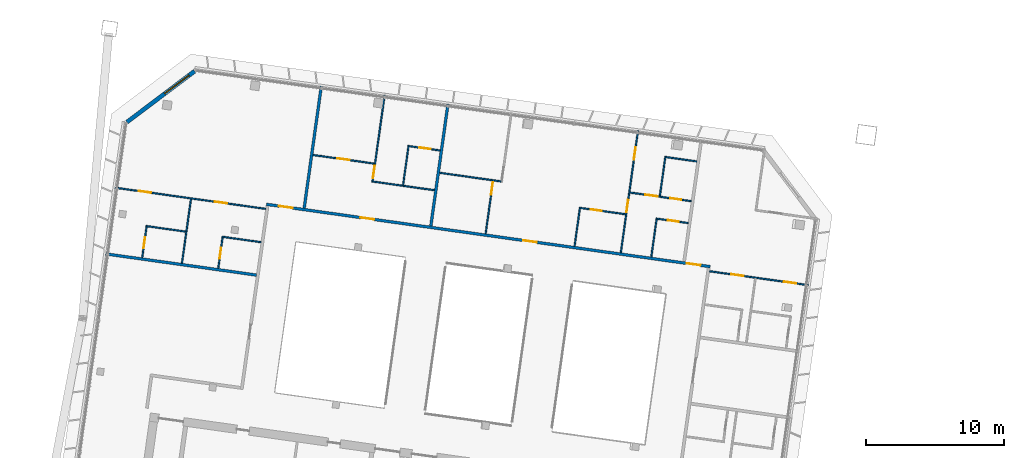
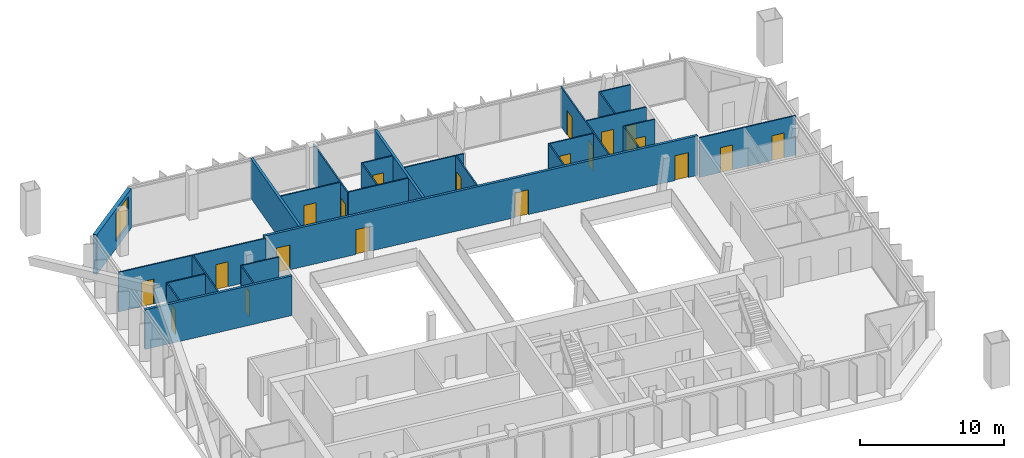
# One storey, part 15 of 23: 27 walls, 20 doors, 1 window, 21 openings.
"""IFC4 building model written with IfcOpenShell, lengths in metres."""

from ifc_helpers import new_model, si_unit, direction, frame, frame_2d, origin, place, context, subcontext, project, spatial, rectangle, extrude, material, layer, layer_set, type_object, element, fill, save


model = new_model("IFC4")

# Units and contexts
model_context = context("Model", 3, precision=1e-05, world=origin(), true_north=direction((0.0, 1.0)))
body_context = subcontext(model_context, "Body", "Model", "MODEL_VIEW")
ifc_project = project(units=[si_unit("LENGTHUNIT", "METRE"), si_unit("AREAUNIT", "SQUARE_METRE"), si_unit("VOLUMEUNIT", "CUBIC_METRE"), si_unit("PLANEANGLEUNIT", "RADIAN"), si_unit("MASSUNIT", "GRAM", prefix="KILO")], contexts=[model_context])

# Site, building, storey
site_placement = place(None, origin())
site = spatial("IfcSite", under=ifc_project, at=site_placement, CompositionType="ELEMENT")
building_placement = place(site_placement, origin())
building = spatial("IfcBuilding", under=site, at=building_placement, Name="Mirante Cascada Hotel Towers", CompositionType="ELEMENT")
storey_placement = place(building_placement, frame((0.0, 0.0, 220.4)))
storey = spatial("IfcBuildingStorey", under=building, at=storey_placement, Name="L52", CompositionType="ELEMENT", Elevation=220.4)

# Wall
ifc_material_1 = material(Name="Fire-rated plasterboard on metal studs")
ifc_layer_1 = layer(ifc_material_1, 0.2)
ifc_layer_set_1 = layer_set([ifc_layer_1], Name="Compartment wall 200 EI 120")
wall_type_1 = type_object("IfcWallType", Name="Compartment wall 200 EI 120", PredefinedType="PARTITIONING", material=ifc_layer_set_1)
wall_1_placement = place(storey_placement, frame((-62.9964, 7.5181, 0.0), z_axis=(0.0, 0.0, 1.0), x_axis=(-0.990267, 0.139181, 0.0)))
element("IfcWall", 1, at=wall_1_placement, inside=storey, type_object=wall_type_1, Name="Wall 1-L52-11", PredefinedType="PARTITIONING", context=body_context, shape_type="SweptSolid", body=[
    extrude(rectangle(XDim=11.0001, YDim=0.2, at=frame_2d((5.5, 0.0))), origin(), (0.0, 0.0, 1.0), 3.35),
])

# Wall, openings, doors
wall_2_placement = place(storey_placement, frame((-62.2774, 12.6346, 0.0), z_axis=(0.0, 0.0, 1.0), x_axis=(0.9902681, -0.1391728, 0.0)))
wall_2 = element("IfcWall", 2, at=wall_2_placement, inside=storey, type_object=wall_type_1, Name="Wall 1-L52-18", PredefinedType="PARTITIONING", context=body_context, shape_type="SweptSolid", body=[
    extrude(rectangle(XDim=32.4, YDim=0.2, at=frame_2d((16.2, 0.0))), origin(), (0.0, 0.0, 1.0), 3.35),
])
opening_1_placement = place(wall_2_placement, frame((30.6918, 0.0, 0.0)))
opening_1 = element("IfcOpeningElement", 3, at=opening_1_placement, cuts=wall_2, Name="Opening D1-L52-09", PredefinedType="OPENING", context=body_context, shape_type="SweptSolid", body=[
    extrude(rectangle(XDim=1.0, YDim=2.1, at=frame_2d((0.5, 1.05))), frame((0.0, 0.1, 0.0), z_axis=(0.0, -1.0, 0.0), x_axis=(1.0, 0.0, 0.0)), (0.0, 0.0, 1.0), 0.2),
])
opening_2_placement = place(wall_2_placement, frame((18.7377, 0.0, 0.0)))
opening_2 = element("IfcOpeningElement", 4, at=opening_2_placement, cuts=wall_2, Name="Opening D1-L52-10", PredefinedType="OPENING", context=body_context, shape_type="SweptSolid", body=[
    extrude(rectangle(XDim=1.0, YDim=2.1, at=frame_2d((0.5, 1.05))), frame((0.0, 0.1, 0.0), z_axis=(0.0, -1.0, 0.0), x_axis=(1.0, 0.0, 0.0)), (0.0, 0.0, 1.0), 0.2),
])
opening_3_placement = place(wall_2_placement, frame((6.8689, 0.0, 0.0)))
opening_3 = element("IfcOpeningElement", 5, at=opening_3_placement, cuts=wall_2, Name="Opening D1-L52-11", PredefinedType="OPENING", context=body_context, shape_type="SweptSolid", body=[
    extrude(rectangle(XDim=1.0, YDim=2.1, at=frame_2d((0.5, 1.05))), frame((0.0, 0.1, 0.0), z_axis=(0.0, -1.0, 0.0), x_axis=(1.0, 0.0, 0.0)), (0.0, 0.0, 1.0), 0.2),
])
opening_4_placement = place(wall_2_placement, frame((0.923, 0.0, 0.0)))
opening_4 = element("IfcOpeningElement", 6, at=opening_4_placement, cuts=wall_2, Name="Opening D1-L52-12", PredefinedType="OPENING", context=body_context, shape_type="SweptSolid", body=[
    extrude(rectangle(XDim=1.0, YDim=2.1, at=frame_2d((0.5, 1.05))), frame((0.0, 0.1, 0.0), z_axis=(0.0, -1.0, 0.0), x_axis=(1.0, 0.0, 0.0)), (0.0, 0.0, 1.0), 0.2),
])
ifc_material_2 = material(Name="Fire-rated timber door leaf", Category="wood")
door_type_1 = type_object("IfcDoorType", Name="Entrance door DG1 1000x2100 EI 60", OperationType="SINGLE_SWING_LEFT", PredefinedType="DOOR", material=ifc_material_2)
door_1_placement = place(opening_1_placement, origin())
door_1 = element("IfcDoor", 7, at=door_1_placement, inside=storey, type_object=door_type_1, Name="Door D1-L52-09", OperationType="SINGLE_SWING_LEFT", OverallHeight=2.1, OverallWidth=1.0, PredefinedType="DOOR", context=body_context, shape_type="SweptSolid", body=[
    extrude(rectangle(XDim=1.0, YDim=2.1, at=frame_2d((0.5, 1.05))), frame((0.0, 0.025, 0.0), z_axis=(0.0, -1.0, 0.0), x_axis=(1.0, 0.0, 0.0)), (0.0, 0.0, 1.0), 0.05),
])
fill(opening_1, door_1)
door_2_placement = place(opening_2_placement, origin())
door_2 = element("IfcDoor", 8, at=door_2_placement, inside=storey, type_object=door_type_1, Name="Door D1-L52-10", OperationType="SINGLE_SWING_LEFT", OverallHeight=2.1, OverallWidth=1.0, PredefinedType="DOOR", context=body_context, shape_type="SweptSolid", body=[
    extrude(rectangle(XDim=1.0, YDim=2.1, at=frame_2d((0.5, 1.05))), frame((0.0, 0.025, 0.0), z_axis=(0.0, -1.0, 0.0), x_axis=(1.0, 0.0, 0.0)), (0.0, 0.0, 1.0), 0.05),
])
fill(opening_2, door_2)
door_3_placement = place(opening_3_placement, origin())
door_3 = element("IfcDoor", 9, at=door_3_placement, inside=storey, type_object=door_type_1, Name="Door D1-L52-11", OperationType="SINGLE_SWING_LEFT", OverallHeight=2.1, OverallWidth=1.0, PredefinedType="DOOR", context=body_context, shape_type="SweptSolid", body=[
    extrude(rectangle(XDim=1.0, YDim=2.1, at=frame_2d((0.5, 1.05))), frame((0.0, 0.025, 0.0), z_axis=(0.0, -1.0, 0.0), x_axis=(1.0, 0.0, 0.0)), (0.0, 0.0, 1.0), 0.05),
])
fill(opening_3, door_3)
door_4_placement = place(opening_4_placement, origin())
door_4 = element("IfcDoor", 10, at=door_4_placement, inside=storey, type_object=door_type_1, Name="Door D1-L52-12", OperationType="SINGLE_SWING_LEFT", OverallHeight=2.1, OverallWidth=1.0, PredefinedType="DOOR", context=body_context, shape_type="SweptSolid", body=[
    extrude(rectangle(XDim=1.0, YDim=2.1, at=frame_2d((0.5, 1.05))), frame((0.0, 0.025, 0.0), z_axis=(0.0, -1.0, 0.0), x_axis=(1.0, 0.0, 0.0)), (0.0, 0.0, 1.0), 0.05),
])
fill(opening_4, door_4)

# Walls
wall_3_placement = place(storey_placement, frame((-49.1497, 19.878, 0.0), z_axis=(0.0, 0.0, 1.0), x_axis=(-0.139181, -0.990267, 0.0)))
element("IfcWall", 11, at=wall_3_placement, inside=storey, type_object=wall_type_1, Name="Wall 1-L52-44", PredefinedType="PARTITIONING", context=body_context, shape_type="SweptSolid", body=[
    extrude(rectangle(XDim=8.8999, YDim=0.2, at=frame_2d((4.45, 0.0))), origin(), (0.0, 0.0, 1.0), 3.35),
])
wall_4_placement = place(storey_placement, frame((-59.5443, 12.3514, 0.0), z_axis=(0.0, 0.0, 1.0), x_axis=(0.1391794, 0.9902672, 0.0)))
element("IfcWall", 12, at=wall_4_placement, inside=storey, type_object=wall_type_1, Name="Wall 1-L52-47", PredefinedType="PARTITIONING", context=body_context, shape_type="SweptSolid", body=[
    extrude(rectangle(XDim=8.9, YDim=0.2, at=frame_2d((4.45, 0.0))), origin(), (0.0, 0.0, 1.0), 3.35),
])
ifc_material_3 = material(Name="Plasterboard on metal studs")
ifc_layer_2 = layer(ifc_material_3, 0.1)
ifc_layer_set_2 = layer_set([ifc_layer_2], Name="Partition 100")
wall_type_2 = type_object("IfcWallType", Name="Partition 100", PredefinedType="PARTITIONING", material=ifc_layer_set_2)
wall_5_placement = place(storey_placement, frame((-65.4847, 10.2914, 0.0), z_axis=(0.0, 0.0, 1.0), x_axis=(0.9902704, -0.1391564, 0.0)))
element("IfcWall", 13, at=wall_5_placement, inside=storey, type_object=wall_type_2, Name="Wall 1-L52-14", PredefinedType="PARTITIONING", context=body_context, shape_type="SweptSolid", body=[
    extrude(rectangle(XDim=2.85, YDim=0.1, at=frame_2d((1.425, 0.0))), origin(), (0.0, 0.0, 1.0), 3.35),
])
wall_6_placement = place(storey_placement, frame((-68.1089, 10.6602, 0.0), z_axis=(0.0, 0.0, 1.0), x_axis=(-0.9902683, 0.1391714, 0.0)))
element("IfcWall", 14, at=wall_6_placement, inside=storey, type_object=wall_type_2, Name="Wall 1-L52-15", PredefinedType="PARTITIONING", context=body_context, shape_type="SweptSolid", body=[
    extrude(rectangle(XDim=2.9, YDim=0.1, at=frame_2d((1.45, 0.0))), origin(), (0.0, 0.0, 1.0), 3.35),
])

# Wall, openings, doors
wall_7_placement = place(storey_placement, frame((-30.2391, 7.7953, 0.0), z_axis=(0.0, 0.0, 1.0), x_axis=(0.9902691, -0.1391655, 0.0)))
wall_7 = element("IfcWall", 15, at=wall_7_placement, inside=storey, type_object=wall_type_2, Name="Wall 1-L52-16", PredefinedType="PARTITIONING", context=body_context, shape_type="SweptSolid", body=[
    extrude(rectangle(XDim=7.2065, YDim=0.1, at=frame_2d((3.6032, 0.0))), origin(), (0.0, 0.0, 1.0), 3.35),
])
opening_5_placement = place(wall_7_placement, frame((5.4299, 0.0, 0.0)))
opening_5 = element("IfcOpeningElement", 16, at=opening_5_placement, cuts=wall_7, Name="Opening D1-L52-05", PredefinedType="OPENING", context=body_context, shape_type="SweptSolid", body=[
    extrude(rectangle(XDim=0.9, YDim=2.1, at=frame_2d((0.45, 1.05))), frame((0.0, 0.05, 0.0), z_axis=(0.0, -1.0, 0.0), x_axis=(1.0, 0.0, 0.0)), (0.0, 0.0, 1.0), 0.1),
])
opening_6_placement = place(wall_7_placement, frame((1.5766, 0.0, 0.0)))
opening_6 = element("IfcOpeningElement", 17, at=opening_6_placement, cuts=wall_7, Name="Opening D1-L52-06", PredefinedType="OPENING", context=body_context, shape_type="SweptSolid", body=[
    extrude(rectangle(XDim=0.9, YDim=2.1, at=frame_2d((0.45, 1.05))), frame((0.0, 0.05, 0.0), z_axis=(0.0, -1.0, 0.0), x_axis=(1.0, 0.0, 0.0)), (0.0, 0.0, 1.0), 0.1),
])
ifc_material_4 = material(Name="Timber door leaf", Category="wood")
door_type_2 = type_object("IfcDoorType", Name="Room door DG3 900x2100", OperationType="SINGLE_SWING_LEFT", PredefinedType="DOOR", material=ifc_material_4)
door_5_placement = place(opening_5_placement, origin())
door_5 = element("IfcDoor", 18, at=door_5_placement, inside=storey, type_object=door_type_2, Name="Door D1-L52-05", OperationType="SINGLE_SWING_LEFT", OverallHeight=2.1, OverallWidth=0.9, PredefinedType="DOOR", context=body_context, shape_type="SweptSolid", body=[
    extrude(rectangle(XDim=0.9, YDim=2.1, at=frame_2d((0.45, 1.05))), frame((0.0, 0.025, 0.0), z_axis=(0.0, -1.0, 0.0), x_axis=(1.0, 0.0, 0.0)), (0.0, 0.0, 1.0), 0.05),
])
fill(opening_5, door_5)
door_6_placement = place(opening_6_placement, origin())
door_6 = element("IfcDoor", 19, at=door_6_placement, inside=storey, type_object=door_type_2, Name="Door D1-L52-06", OperationType="SINGLE_SWING_LEFT", OverallHeight=2.1, OverallWidth=0.9, PredefinedType="DOOR", context=body_context, shape_type="SweptSolid", body=[
    extrude(rectangle(XDim=0.9, YDim=2.1, at=frame_2d((0.45, 1.05))), frame((0.0, 0.025, 0.0), z_axis=(0.0, -1.0, 0.0), x_axis=(1.0, 0.0, 0.0)), (0.0, 0.0, 1.0), 0.05),
])
fill(opening_6, door_6)

wall_8_placement = place(storey_placement, frame((-62.3238, 12.3045, 0.0), z_axis=(0.0, 0.0, 1.0), x_axis=(-0.990268, 0.1391733, 0.0)))
wall_8 = element("IfcWall", 20, at=wall_8_placement, inside=storey, type_object=wall_type_2, Name="Wall 1-L52-17", PredefinedType="PARTITIONING", context=body_context, shape_type="SweptSolid", body=[
    extrude(rectangle(XDim=11.0, YDim=0.1, at=frame_2d((5.5, 0.0))), origin(), (0.0, 0.0, 1.0), 3.35),
])
opening_7_placement = place(wall_8_placement, frame((2.825, 0.0, 0.0)))
opening_7 = element("IfcOpeningElement", 21, at=opening_7_placement, cuts=wall_8, Name="Opening D1-L52-07", PredefinedType="OPENING", context=body_context, shape_type="SweptSolid", body=[
    extrude(rectangle(XDim=0.9, YDim=2.1, at=frame_2d((0.45, 1.05))), frame((0.0, 0.05, 0.0), z_axis=(0.0, -1.0, 0.0), x_axis=(1.0, 0.0, 0.0)), (0.0, 0.0, 1.0), 0.1),
])
opening_8_placement = place(wall_8_placement, frame((8.375, 0.0, 0.0)))
opening_8 = element("IfcOpeningElement", 22, at=opening_8_placement, cuts=wall_8, Name="Opening D1-L52-08", PredefinedType="OPENING", context=body_context, shape_type="SweptSolid", body=[
    extrude(rectangle(XDim=0.9, YDim=2.1, at=frame_2d((0.45, 1.05))), frame((0.0, 0.05, 0.0), z_axis=(0.0, -1.0, 0.0), x_axis=(1.0, 0.0, 0.0)), (0.0, 0.0, 1.0), 0.1),
])
door_7_placement = place(opening_7_placement, frame((0.9, 0.0, 0.0), z_axis=(0.0, 0.0, 1.0), x_axis=(-1.0, 0.0, 0.0)))
door_7 = element("IfcDoor", 23, at=door_7_placement, inside=storey, type_object=door_type_2, Name="Door D1-L52-07", OperationType="SINGLE_SWING_RIGHT", OverallHeight=2.1, OverallWidth=0.9, PredefinedType="DOOR", context=body_context, shape_type="SweptSolid", body=[
    extrude(rectangle(XDim=0.9, YDim=2.1, at=frame_2d((0.45, 1.05))), frame((0.0, 0.025, 0.0), z_axis=(0.0, -1.0, 0.0), x_axis=(1.0, 0.0, 0.0)), (0.0, 0.0, 1.0), 0.05),
])
fill(opening_7, door_7)
door_8_placement = place(opening_8_placement, frame((0.9, 0.0, 0.0), z_axis=(0.0, 0.0, 1.0), x_axis=(-1.0, 0.0, 0.0)))
door_8 = element("IfcDoor", 24, at=door_8_placement, inside=storey, type_object=door_type_2, Name="Door D1-L52-08", OperationType="SINGLE_SWING_RIGHT", OverallHeight=2.1, OverallWidth=0.9, PredefinedType="DOOR", context=body_context, shape_type="SweptSolid", body=[
    extrude(rectangle(XDim=0.9, YDim=2.1, at=frame_2d((0.45, 1.05))), frame((0.0, 0.025, 0.0), z_axis=(0.0, -1.0, 0.0), x_axis=(1.0, 0.0, 0.0)), (0.0, 0.0, 1.0), 0.05),
])
fill(opening_8, door_8)

# Wall
wall_9_placement = place(storey_placement, frame((-50.1255, 13.6533, 0.0), z_axis=(0.0, 0.0, 1.0), x_axis=(-0.9902689, 0.1391675, 0.0)))
element("IfcWall", 25, at=wall_9_placement, inside=storey, type_object=wall_type_2, Name="Wall 1-L52-19", PredefinedType="PARTITIONING", context=body_context, shape_type="SweptSolid", body=[
    extrude(rectangle(XDim=4.473, YDim=0.1, at=frame_2d((2.2365, 0.0))), origin(), (0.0, 0.0, 1.0), 3.35),
])

# Wall, opening, door
wall_10_placement = place(storey_placement, frame((-34.014, 11.5909, 0.0), z_axis=(0.0, 0.0, 1.0), x_axis=(0.9902705, -0.1391561, 0.0)))
wall_10 = element("IfcWall", 26, at=wall_10_placement, inside=storey, type_object=wall_type_2, Name="Wall 1-L52-20", PredefinedType="PARTITIONING", context=body_context, shape_type="SweptSolid", body=[
    extrude(rectangle(XDim=2.25, YDim=0.1, at=frame_2d((1.125, 0.0))), origin(), (0.0, 0.0, 1.0), 3.35),
])
opening_9_placement = place(wall_10_placement, frame((0.75, 0.0, 0.0)))
opening_9 = element("IfcOpeningElement", 27, at=opening_9_placement, cuts=wall_10, Name="Opening D1-L52-13", PredefinedType="OPENING", context=body_context, shape_type="SweptSolid", body=[
    extrude(rectangle(XDim=0.8, YDim=2.1, at=frame_2d((0.4, 1.05))), frame((0.0, 0.05, 0.0), z_axis=(0.0, -1.0, 0.0), x_axis=(1.0, 0.0, 0.0)), (0.0, 0.0, 1.0), 0.1),
])
ifc_material_5 = material(Name="Timber door leaf", Category="wood")
door_type_3 = type_object("IfcDoorType", Name="Bathroom door DG4 800x2100", OperationType="SINGLE_SWING_LEFT", PredefinedType="DOOR", material=ifc_material_5)
door_9_placement = place(opening_9_placement, frame((0.8, 0.0, 0.0), z_axis=(0.0, 0.0, 1.0), x_axis=(-1.0, 0.0, 0.0)))
door_9 = element("IfcDoor", 28, at=door_9_placement, inside=storey, type_object=door_type_3, Name="Door D1-L52-13", OperationType="SINGLE_SWING_RIGHT", OverallHeight=2.1, OverallWidth=0.8, PredefinedType="DOOR", context=body_context, shape_type="SweptSolid", body=[
    extrude(rectangle(XDim=0.8, YDim=2.1, at=frame_2d((0.4, 1.05))), frame((0.0, 0.025, 0.0), z_axis=(0.0, -1.0, 0.0), x_axis=(1.0, 0.0, 0.0)), (0.0, 0.0, 1.0), 0.05),
])
fill(opening_9, door_9)

wall_11_placement = place(storey_placement, frame((-36.3144, 11.9142, 0.0), z_axis=(0.0, 0.0, 1.0), x_axis=(-0.9902674, 0.1391782, 0.0)))
wall_11 = element("IfcWall", 29, at=wall_11_placement, inside=storey, type_object=wall_type_2, Name="Wall 1-L52-21", PredefinedType="PARTITIONING", context=body_context, shape_type="SweptSolid", body=[
    extrude(rectangle(XDim=3.377, YDim=0.1, at=frame_2d((1.6885, 0.0))), origin(), (0.0, 0.0, 1.0), 3.35),
])
opening_10_placement = place(wall_11_placement, frame((1.727, 0.0, 0.0)))
opening_10 = element("IfcOpeningElement", 30, at=opening_10_placement, cuts=wall_11, Name="Opening D1-L52-14", PredefinedType="OPENING", context=body_context, shape_type="SweptSolid", body=[
    extrude(rectangle(XDim=0.8, YDim=2.1, at=frame_2d((0.4, 1.05))), frame((0.0, 0.05, 0.0), z_axis=(0.0, -1.0, 0.0), x_axis=(1.0, 0.0, 0.0)), (0.0, 0.0, 1.0), 0.1),
])
door_10_placement = place(opening_10_placement, frame((0.8, 0.0, 0.0), z_axis=(0.0, 0.0, 1.0), x_axis=(-1.0, 0.0, 0.0)))
door_10 = element("IfcDoor", 31, at=door_10_placement, inside=storey, type_object=door_type_3, Name="Door D1-L52-14", OperationType="SINGLE_SWING_RIGHT", OverallHeight=2.1, OverallWidth=0.8, PredefinedType="DOOR", context=body_context, shape_type="SweptSolid", body=[
    extrude(rectangle(XDim=0.8, YDim=2.1, at=frame_2d((0.4, 1.05))), frame((0.0, 0.025, 0.0), z_axis=(0.0, -1.0, 0.0), x_axis=(1.0, 0.0, 0.0)), (0.0, 0.0, 1.0), 0.05),
])
fill(opening_10, door_10)

# Wall
wall_12_placement = place(storey_placement, frame((-49.7466, 14.9128, 0.0), z_axis=(0.0, 0.0, 1.0), x_axis=(0.9902684, -0.1391706, 0.0)))
element("IfcWall", 32, at=wall_12_placement, inside=storey, type_object=wall_type_2, Name="Wall 1-L52-22", PredefinedType="PARTITIONING", context=body_context, shape_type="SweptSolid", body=[
    extrude(rectangle(XDim=4.4729, YDim=0.1, at=frame_2d((2.2364, 0.0))), origin(), (0.0, 0.0, 1.0), 3.35),
])

# Wall, opening, door
wall_13_placement = place(storey_placement, frame((-54.4731, 15.5771, 0.0), z_axis=(0.0, 0.0, 1.0), x_axis=(-0.9902684, 0.1391706, 0.0)))
wall_13 = element("IfcWall", 33, at=wall_13_placement, inside=storey, type_object=wall_type_2, Name="Wall 1-L52-23", PredefinedType="PARTITIONING", context=body_context, shape_type="SweptSolid", body=[
    extrude(rectangle(XDim=4.4729, YDim=0.1, at=frame_2d((2.2364, 0.0))), origin(), (0.0, 0.0, 1.0), 3.35),
])
opening_11_placement = place(wall_13_placement, frame((1.8114, 0.0, 0.0)))
opening_11 = element("IfcOpeningElement", 34, at=opening_11_placement, cuts=wall_13, Name="Opening D1-L52-15", PredefinedType="OPENING", context=body_context, shape_type="SweptSolid", body=[
    extrude(rectangle(XDim=0.9, YDim=2.1, at=frame_2d((0.45, 1.05))), frame((0.0, 0.05, 0.0), z_axis=(0.0, -1.0, 0.0), x_axis=(1.0, 0.0, 0.0)), (0.0, 0.0, 1.0), 0.1),
])
door_11_placement = place(opening_11_placement, origin())
door_11 = element("IfcDoor", 35, at=door_11_placement, inside=storey, type_object=door_type_2, Name="Door D1-L52-15", OperationType="SINGLE_SWING_LEFT", OverallHeight=2.1, OverallWidth=0.9, PredefinedType="DOOR", context=body_context, shape_type="SweptSolid", body=[
    extrude(rectangle(XDim=0.9, YDim=2.1, at=frame_2d((0.45, 1.05))), frame((0.0, 0.025, 0.0), z_axis=(0.0, -1.0, 0.0), x_axis=(1.0, 0.0, 0.0)), (0.0, 0.0, 1.0), 0.05),
])
fill(opening_11, door_11)

# Wall, openings, doors
wall_14_placement = place(storey_placement, frame((-31.5632, 12.8622, 0.0), z_axis=(0.0, 0.0, 1.0), x_axis=(-0.9902689, 0.1391675, 0.0)))
wall_14 = element("IfcWall", 36, at=wall_14_placement, inside=storey, type_object=wall_type_2, Name="Wall 1-L52-25", PredefinedType="PARTITIONING", context=body_context, shape_type="SweptSolid", body=[
    extrude(rectangle(XDim=4.473, YDim=0.1, at=frame_2d((2.2365, 0.0))), origin(), (0.0, 0.0, 1.0), 3.35),
])
opening_12_placement = place(wall_14_placement, frame((0.72, 0.0, 0.0)))
opening_12 = element("IfcOpeningElement", 37, at=opening_12_placement, cuts=wall_14, Name="Opening D1-L52-17", PredefinedType="OPENING", context=body_context, shape_type="SweptSolid", body=[
    extrude(rectangle(XDim=0.8, YDim=2.1, at=frame_2d((0.4, 1.05))), frame((0.0, 0.05, 0.0), z_axis=(0.0, -1.0, 0.0), x_axis=(1.0, 0.0, 0.0)), (0.0, 0.0, 1.0), 0.1),
])
opening_13_placement = place(wall_14_placement, frame((2.45, 0.0, 0.0)))
opening_13 = element("IfcOpeningElement", 38, at=opening_13_placement, cuts=wall_14, Name="Opening D1-L52-18", PredefinedType="OPENING", context=body_context, shape_type="SweptSolid", body=[
    extrude(rectangle(XDim=0.9, YDim=2.1, at=frame_2d((0.45, 1.05))), frame((0.0, 0.05, 0.0), z_axis=(0.0, -1.0, 0.0), x_axis=(1.0, 0.0, 0.0)), (0.0, 0.0, 1.0), 0.1),
])
door_12_placement = place(opening_12_placement, origin())
door_12 = element("IfcDoor", 39, at=door_12_placement, inside=storey, type_object=door_type_3, Name="Door D1-L52-17", OperationType="SINGLE_SWING_LEFT", OverallHeight=2.1, OverallWidth=0.8, PredefinedType="DOOR", context=body_context, shape_type="SweptSolid", body=[
    extrude(rectangle(XDim=0.8, YDim=2.1, at=frame_2d((0.4, 1.05))), frame((0.0, 0.025, 0.0), z_axis=(0.0, -1.0, 0.0), x_axis=(1.0, 0.0, 0.0)), (0.0, 0.0, 1.0), 0.05),
])
fill(opening_12, door_12)
door_13_placement = place(opening_13_placement, frame((0.9, 0.0, 0.0), z_axis=(0.0, 0.0, 1.0), x_axis=(-1.0, 0.0, 0.0)))
door_13 = element("IfcDoor", 40, at=door_13_placement, inside=storey, type_object=door_type_2, Name="Door D1-L52-18", OperationType="SINGLE_SWING_RIGHT", OverallHeight=2.1, OverallWidth=0.9, PredefinedType="DOOR", context=body_context, shape_type="SweptSolid", body=[
    extrude(rectangle(XDim=0.9, YDim=2.1, at=frame_2d((0.45, 1.05))), frame((0.0, 0.025, 0.0), z_axis=(0.0, -1.0, 0.0), x_axis=(1.0, 0.0, 0.0)), (0.0, 0.0, 1.0), 0.05),
])
fill(opening_13, door_13)

# Wall, opening, door
wall_15_placement = place(storey_placement, frame((-51.95, 16.8382, 0.0), z_axis=(0.0, 0.0, 1.0), x_axis=(0.9902643, -0.1391997, 0.0)))
wall_15 = element("IfcWall", 41, at=wall_15_placement, inside=storey, type_object=wall_type_2, Name="Wall 1-L52-26", PredefinedType="PARTITIONING", context=body_context, shape_type="SweptSolid", body=[
    extrude(rectangle(XDim=2.25, YDim=0.1, at=frame_2d((1.125, 0.0))), origin(), (0.0, 0.0, 1.0), 3.35),
])
opening_14_placement = place(wall_15_placement, frame((0.75, 0.0, 0.0)))
opening_14 = element("IfcOpeningElement", 42, at=opening_14_placement, cuts=wall_15, Name="Opening D1-L52-19", PredefinedType="OPENING", context=body_context, shape_type="SweptSolid", body=[
    extrude(rectangle(XDim=0.8, YDim=2.1, at=frame_2d((0.4, 1.05))), frame((0.0, 0.05, 0.0), z_axis=(0.0, -1.0, 0.0), x_axis=(1.0, 0.0, 0.0)), (0.0, 0.0, 1.0), 0.1),
])
door_14_placement = place(opening_14_placement, origin())
door_14 = element("IfcDoor", 43, at=door_14_placement, inside=storey, type_object=door_type_3, Name="Door D1-L52-19", OperationType="SINGLE_SWING_LEFT", OverallHeight=2.1, OverallWidth=0.8, PredefinedType="DOOR", context=body_context, shape_type="SweptSolid", body=[
    extrude(rectangle(XDim=0.8, YDim=2.1, at=frame_2d((0.4, 1.05))), frame((0.0, 0.025, 0.0), z_axis=(0.0, -1.0, 0.0), x_axis=(1.0, 0.0, 0.0)), (0.0, 0.0, 1.0), 0.05),
])
fill(opening_14, door_14)

# Walls
wall_16_placement = place(storey_placement, frame((-31.1596, 15.734, 0.0), z_axis=(0.0, 0.0, 1.0), x_axis=(-0.9902705, 0.1391561, 0.0)))
element("IfcWall", 44, at=wall_16_placement, inside=storey, type_object=wall_type_2, Name="Wall 1-L52-27", PredefinedType="PARTITIONING", context=body_context, shape_type="SweptSolid", body=[
    extrude(rectangle(XDim=2.25, YDim=0.1, at=frame_2d((1.125, 0.0))), origin(), (0.0, 0.0, 1.0), 3.35),
])
wall_17_placement = place(storey_placement, frame((-34.0565, 11.6474, 0.0), z_axis=(0.0, 0.0, 1.0), x_axis=(-0.1391909, -0.9902656, 0.0)))
element("IfcWall", 45, at=wall_17_placement, inside=storey, type_object=wall_type_2, Name="Wall 1-L52-38", PredefinedType="PARTITIONING", context=body_context, shape_type="SweptSolid", body=[
    extrude(rectangle(XDim=2.85, YDim=0.1, at=frame_2d((1.425, 0.0))), origin(), (0.0, 0.0, 1.0), 3.35),
])
wall_18_placement = place(storey_placement, frame((-33.8339, 13.2318, 0.0), z_axis=(0.0, 0.0, 1.0), x_axis=(0.1391714, 0.9902683, 0.0)))
element("IfcWall", 46, at=wall_18_placement, inside=storey, type_object=wall_type_2, Name="Wall 1-L52-39", PredefinedType="PARTITIONING", context=body_context, shape_type="SweptSolid", body=[
    extrude(rectangle(XDim=2.9, YDim=0.1, at=frame_2d((1.45, 0.0))), origin(), (0.0, 0.0, 1.0), 3.35),
])

# Wall, openings, doors
wall_19_placement = place(storey_placement, frame((-35.4159, 17.9479, 0.0), z_axis=(0.0, 0.0, 1.0), x_axis=(-0.1391684, -0.9902687, 0.0)))
wall_19 = element("IfcWall", 47, at=wall_19_placement, inside=storey, type_object=wall_type_2, Name="Wall 1-L52-40", PredefinedType="PARTITIONING", context=body_context, shape_type="SweptSolid", body=[
    extrude(rectangle(XDim=8.9, YDim=0.1, at=frame_2d((4.45, 0.0))), origin(), (0.0, 0.0, 1.0), 3.35),
])
opening_15_placement = place(wall_19_placement, frame((5.05, 0.0, 0.0)))
opening_15 = element("IfcOpeningElement", 48, at=opening_15_placement, cuts=wall_19, Name="Opening D1-L52-25", PredefinedType="OPENING", context=body_context, shape_type="SweptSolid", body=[
    extrude(rectangle(XDim=0.9, YDim=2.1, at=frame_2d((0.45, 1.05))), frame((0.0, 0.05, 0.0), z_axis=(0.0, -1.0, 0.0), x_axis=(1.0, 0.0, 0.0)), (0.0, 0.0, 1.0), 0.1),
])
opening_16_placement = place(wall_19_placement, frame((1.2, 0.0, 0.0)))
opening_16 = element("IfcOpeningElement", 49, at=opening_16_placement, cuts=wall_19, Name="Opening D1-L52-26", PredefinedType="OPENING", context=body_context, shape_type="SweptSolid", body=[
    extrude(rectangle(XDim=0.9, YDim=2.1, at=frame_2d((0.45, 1.05))), frame((0.0, 0.05, 0.0), z_axis=(0.0, -1.0, 0.0), x_axis=(1.0, 0.0, 0.0)), (0.0, 0.0, 1.0), 0.1),
])
door_15_placement = place(opening_15_placement, frame((0.9, 0.0, 0.0), z_axis=(0.0, 0.0, 1.0), x_axis=(-1.0, 0.0, 0.0)))
door_15 = element("IfcDoor", 50, at=door_15_placement, inside=storey, type_object=door_type_2, Name="Door D1-L52-25", OperationType="SINGLE_SWING_RIGHT", OverallHeight=2.1, OverallWidth=0.9, PredefinedType="DOOR", context=body_context, shape_type="SweptSolid", body=[
    extrude(rectangle(XDim=0.9, YDim=2.1, at=frame_2d((0.45, 1.05))), frame((0.0, 0.025, 0.0), z_axis=(0.0, -1.0, 0.0), x_axis=(1.0, 0.0, 0.0)), (0.0, 0.0, 1.0), 0.05),
])
fill(opening_15, door_15)
door_16_placement = place(opening_16_placement, frame((0.9, 0.0, 0.0), z_axis=(0.0, 0.0, 1.0), x_axis=(-1.0, 0.0, 0.0)))
door_16 = element("IfcDoor", 51, at=door_16_placement, inside=storey, type_object=door_type_2, Name="Door D1-L52-26", OperationType="SINGLE_SWING_RIGHT", OverallHeight=2.1, OverallWidth=0.9, PredefinedType="DOOR", context=body_context, shape_type="SweptSolid", body=[
    extrude(rectangle(XDim=0.9, YDim=2.1, at=frame_2d((0.45, 1.05))), frame((0.0, 0.025, 0.0), z_axis=(0.0, -1.0, 0.0), x_axis=(1.0, 0.0, 0.0)), (0.0, 0.0, 1.0), 0.05),
])
fill(opening_16, door_16)

# Wall
wall_20_placement = place(storey_placement, frame((-39.9987, 9.6045, 0.0), z_axis=(0.0, 0.0, 1.0), x_axis=(0.1392013, 0.9902641, 0.0)))
element("IfcWall", 52, at=wall_20_placement, inside=storey, type_object=wall_type_2, Name="Wall 1-L52-41", PredefinedType="PARTITIONING", context=body_context, shape_type="SweptSolid", body=[
    extrude(rectangle(XDim=2.75, YDim=0.1, at=frame_2d((1.375, 0.0))), origin(), (0.0, 0.0, 1.0), 3.35),
])

# Wall, opening, door
wall_21_placement = place(storey_placement, frame((-46.4273, 10.508, 0.0), z_axis=(0.0, 0.0, 1.0), x_axis=(0.1391701, 0.9902685, 0.0)))
wall_21 = element("IfcWall", 53, at=wall_21_placement, inside=storey, type_object=wall_type_2, Name="Wall 1-L52-43", PredefinedType="PARTITIONING", context=body_context, shape_type="SweptSolid", body=[
    extrude(rectangle(XDim=3.85, YDim=0.1, at=frame_2d((1.925, 0.0))), origin(), (0.0, 0.0, 1.0), 3.35),
])
opening_17_placement = place(wall_21_placement, frame((2.85, 0.0, 0.0)))
opening_17 = element("IfcOpeningElement", 54, at=opening_17_placement, cuts=wall_21, Name="Opening D1-L52-28", PredefinedType="OPENING", context=body_context, shape_type="SweptSolid", body=[
    extrude(rectangle(XDim=0.9, YDim=2.1, at=frame_2d((0.45, 1.05))), frame((0.0, 0.05, 0.0), z_axis=(0.0, -1.0, 0.0), x_axis=(1.0, 0.0, 0.0)), (0.0, 0.0, 1.0), 0.1),
])
door_17_placement = place(opening_17_placement, frame((0.9, 0.0, 0.0), z_axis=(0.0, 0.0, 1.0), x_axis=(-1.0, 0.0, 0.0)))
door_17 = element("IfcDoor", 55, at=door_17_placement, inside=storey, type_object=door_type_2, Name="Door D1-L52-28", OperationType="SINGLE_SWING_RIGHT", OverallHeight=2.1, OverallWidth=0.9, PredefinedType="DOOR", context=body_context, shape_type="SweptSolid", body=[
    extrude(rectangle(XDim=0.9, YDim=2.1, at=frame_2d((0.45, 1.05))), frame((0.0, 0.025, 0.0), z_axis=(0.0, -1.0, 0.0), x_axis=(1.0, 0.0, 0.0)), (0.0, 0.0, 1.0), 0.05),
])
fill(opening_17, door_17)

# Wall
wall_22_placement = place(storey_placement, frame((-52.3962, 14.0229, 0.0), z_axis=(0.0, 0.0, 1.0), x_axis=(0.1391714, 0.9902683, 0.0)))
element("IfcWall", 56, at=wall_22_placement, inside=storey, type_object=wall_type_2, Name="Wall 1-L52-45", PredefinedType="PARTITIONING", context=body_context, shape_type="SweptSolid", body=[
    extrude(rectangle(XDim=2.9, YDim=0.1, at=frame_2d((1.45, 0.0))), origin(), (0.0, 0.0, 1.0), 3.35),
])

# Wall, opening, door
wall_23_placement = place(storey_placement, frame((-53.7277, 20.5214, 0.0), z_axis=(0.0, 0.0, 1.0), x_axis=(-0.139181, -0.990267, 0.0)))
wall_23 = element("IfcWall", 57, at=wall_23_placement, inside=storey, type_object=wall_type_2, Name="Wall 1-L52-46", PredefinedType="PARTITIONING", context=body_context, shape_type="SweptSolid", body=[
    extrude(rectangle(XDim=6.35, YDim=0.1, at=frame_2d((3.175, 0.0))), origin(), (0.0, 0.0, 1.0), 3.35),
])
opening_18_placement = place(wall_23_placement, frame((5.15, 0.0, 0.0)))
opening_18 = element("IfcOpeningElement", 58, at=opening_18_placement, cuts=wall_23, Name="Opening D1-L52-29", PredefinedType="OPENING", context=body_context, shape_type="SweptSolid", body=[
    extrude(rectangle(XDim=0.9, YDim=2.1, at=frame_2d((0.45, 1.05))), frame((0.0, 0.05, 0.0), z_axis=(0.0, -1.0, 0.0), x_axis=(1.0, 0.0, 0.0)), (0.0, 0.0, 1.0), 0.1),
])
door_18_placement = place(opening_18_placement, origin())
door_18 = element("IfcDoor", 59, at=door_18_placement, inside=storey, type_object=door_type_2, Name="Door D1-L52-29", OperationType="SINGLE_SWING_LEFT", OverallHeight=2.1, OverallWidth=0.9, PredefinedType="DOOR", context=body_context, shape_type="SweptSolid", body=[
    extrude(rectangle(XDim=0.9, YDim=2.1, at=frame_2d((0.45, 1.05))), frame((0.0, 0.025, 0.0), z_axis=(0.0, -1.0, 0.0), x_axis=(1.0, 0.0, 0.0)), (0.0, 0.0, 1.0), 0.05),
])
fill(opening_18, door_18)

wall_24_placement = place(storey_placement, frame((-65.7553, 8.0069, 0.0), z_axis=(0.0, 0.0, 1.0), x_axis=(0.1391997, 0.9902643, 0.0)))
wall_24 = element("IfcWall", 60, at=wall_24_placement, inside=storey, type_object=wall_type_2, Name="Wall 1-L52-49", PredefinedType="PARTITIONING", context=body_context, shape_type="SweptSolid", body=[
    extrude(rectangle(XDim=2.25, YDim=0.1, at=frame_2d((1.125, 0.0))), origin(), (0.0, 0.0, 1.0), 3.35),
])
opening_19_placement = place(wall_24_placement, frame((0.7, 0.0, 0.0)))
opening_19 = element("IfcOpeningElement", 61, at=opening_19_placement, cuts=wall_24, Name="Opening D1-L52-31", PredefinedType="OPENING", context=body_context, shape_type="SweptSolid", body=[
    extrude(rectangle(XDim=0.8, YDim=2.1, at=frame_2d((0.4, 1.05))), frame((0.0, 0.05, 0.0), z_axis=(0.0, -1.0, 0.0), x_axis=(1.0, 0.0, 0.0)), (0.0, 0.0, 1.0), 0.1),
])
door_19_placement = place(opening_19_placement, frame((0.8, 0.0, 0.0), z_axis=(0.0, 0.0, 1.0), x_axis=(-1.0, 0.0, 0.0)))
door_19 = element("IfcDoor", 62, at=door_19_placement, inside=storey, type_object=door_type_3, Name="Door D1-L52-31", OperationType="SINGLE_SWING_RIGHT", OverallHeight=2.1, OverallWidth=0.8, PredefinedType="DOOR", context=body_context, shape_type="SweptSolid", body=[
    extrude(rectangle(XDim=0.8, YDim=2.1, at=frame_2d((0.4, 1.05))), frame((0.0, 0.025, 0.0), z_axis=(0.0, -1.0, 0.0), x_axis=(1.0, 0.0, 0.0)), (0.0, 0.0, 1.0), 0.05),
])
fill(opening_19, door_19)

# Wall
wall_25_placement = place(storey_placement, frame((-67.7277, 13.0135, 0.0), z_axis=(0.0, 0.0, 1.0), x_axis=(-0.139173, -0.9902681, 0.0)))
element("IfcWall", 63, at=wall_25_placement, inside=storey, type_object=wall_type_2, Name="Wall 1-L52-50", PredefinedType="PARTITIONING", context=body_context, shape_type="SweptSolid", body=[
    extrude(rectangle(XDim=4.6834, YDim=0.1, at=frame_2d((2.3417, 0.0))), origin(), (0.0, 0.0, 1.0), 3.35),
])

# Wall, opening, door
wall_26_placement = place(storey_placement, frame((-71.2513, 8.7793, 0.0), z_axis=(0.0, 0.0, 1.0), x_axis=(0.1391997, 0.9902643, 0.0)))
wall_26 = element("IfcWall", 64, at=wall_26_placement, inside=storey, type_object=wall_type_2, Name="Wall 1-L52-53", PredefinedType="PARTITIONING", context=body_context, shape_type="SweptSolid", body=[
    extrude(rectangle(XDim=2.25, YDim=0.1, at=frame_2d((1.125, 0.0))), origin(), (0.0, 0.0, 1.0), 3.35),
])
opening_20_placement = place(wall_26_placement, frame((0.7, 0.0, 0.0)))
opening_20 = element("IfcOpeningElement", 65, at=opening_20_placement, cuts=wall_26, Name="Opening D1-L52-32", PredefinedType="OPENING", context=body_context, shape_type="SweptSolid", body=[
    extrude(rectangle(XDim=0.8, YDim=2.1, at=frame_2d((0.4, 1.05))), frame((0.0, 0.05, 0.0), z_axis=(0.0, -1.0, 0.0), x_axis=(1.0, 0.0, 0.0)), (0.0, 0.0, 1.0), 0.1),
])
door_20_placement = place(opening_20_placement, frame((0.8, 0.0, 0.0), z_axis=(0.0, 0.0, 1.0), x_axis=(-1.0, 0.0, 0.0)))
door_20 = element("IfcDoor", 66, at=door_20_placement, inside=storey, type_object=door_type_3, Name="Door D1-L52-32", OperationType="SINGLE_SWING_RIGHT", OverallHeight=2.1, OverallWidth=0.8, PredefinedType="DOOR", context=body_context, shape_type="SweptSolid", body=[
    extrude(rectangle(XDim=0.8, YDim=2.1, at=frame_2d((0.4, 1.05))), frame((0.0, 0.025, 0.0), z_axis=(0.0, -1.0, 0.0), x_axis=(1.0, 0.0, 0.0)), (0.0, 0.0, 1.0), 0.05),
])
fill(opening_20, door_20)

# Wall, opening, window
ifc_material_6 = material(Name="Precast concrete C40/50", Category="concrete")
ifc_layer_3 = layer(ifc_material_6, 0.3)
ifc_layer_set_3 = layer_set([ifc_layer_3], Name="Precast concrete C40/50 cladding wall 300")
wall_type_3 = type_object("IfcWallType", Name="Precast concrete C40/50 cladding wall 300", PredefinedType="STANDARD", material=ifc_layer_set_3)
wall_27_placement = place(storey_placement, frame((-72.3546, 18.5766, 0.0), z_axis=(0.0, 0.0, 1.0), x_axis=(0.7986362, 0.6018141, 0.0)))
wall_27 = element("IfcWall", 67, at=wall_27_placement, inside=storey, type_object=wall_type_3, Name="Corner cladding wall T1 L52 outer front", PredefinedType="STANDARD", context=body_context, shape_type="SweptSolid", body=[
    extrude(rectangle(XDim=6.1157, YDim=0.3, at=frame_2d((3.0578, 0.0))), origin(), (0.0, 0.0, 1.0), 3.35),
])
opening_21_placement = place(wall_27_placement, frame((3.4182, 0.0, 0.6)))
opening_21 = element("IfcOpeningElement", 68, at=opening_21_placement, cuts=wall_27, Name="Opening W1-52-03", PredefinedType="OPENING", context=body_context, shape_type="SweptSolid", body=[
    extrude(rectangle(XDim=2.2, YDim=2.4, at=frame_2d((1.1, 1.2))), frame((0.0, 0.15, 0.0), z_axis=(0.0, -1.0, 0.0), x_axis=(1.0, 0.0, 0.0)), (0.0, 0.0, 1.0), 0.3),
])
ifc_material_7 = material(Name="Aluminium frame with clear double glazing", Category="aluminium")
window_type = type_object("IfcWindowType", Name="Corner suite window 2200x2400", PartitioningType="DOUBLE_PANEL_VERTICAL", PredefinedType="WINDOW", material=ifc_material_7)
window_placement = place(opening_21_placement, origin())
window = element("IfcWindow", 69, at=window_placement, inside=storey, type_object=window_type, Name="Window W1-52-03", OverallHeight=2.4, OverallWidth=2.2, PartitioningType="SINGLE_PANEL", PredefinedType="WINDOW", context=body_context, shape_type="SweptSolid", body=[
    extrude(rectangle(XDim=2.2, YDim=2.4, at=frame_2d((1.1, 1.2))), frame((0.0, 0.03, 0.0), z_axis=(0.0, -1.0, 0.0), x_axis=(1.0, 0.0, 0.0)), (0.0, 0.0, 1.0), 0.06),
])
fill(opening_21, window)

save(model, "model.ifc")
